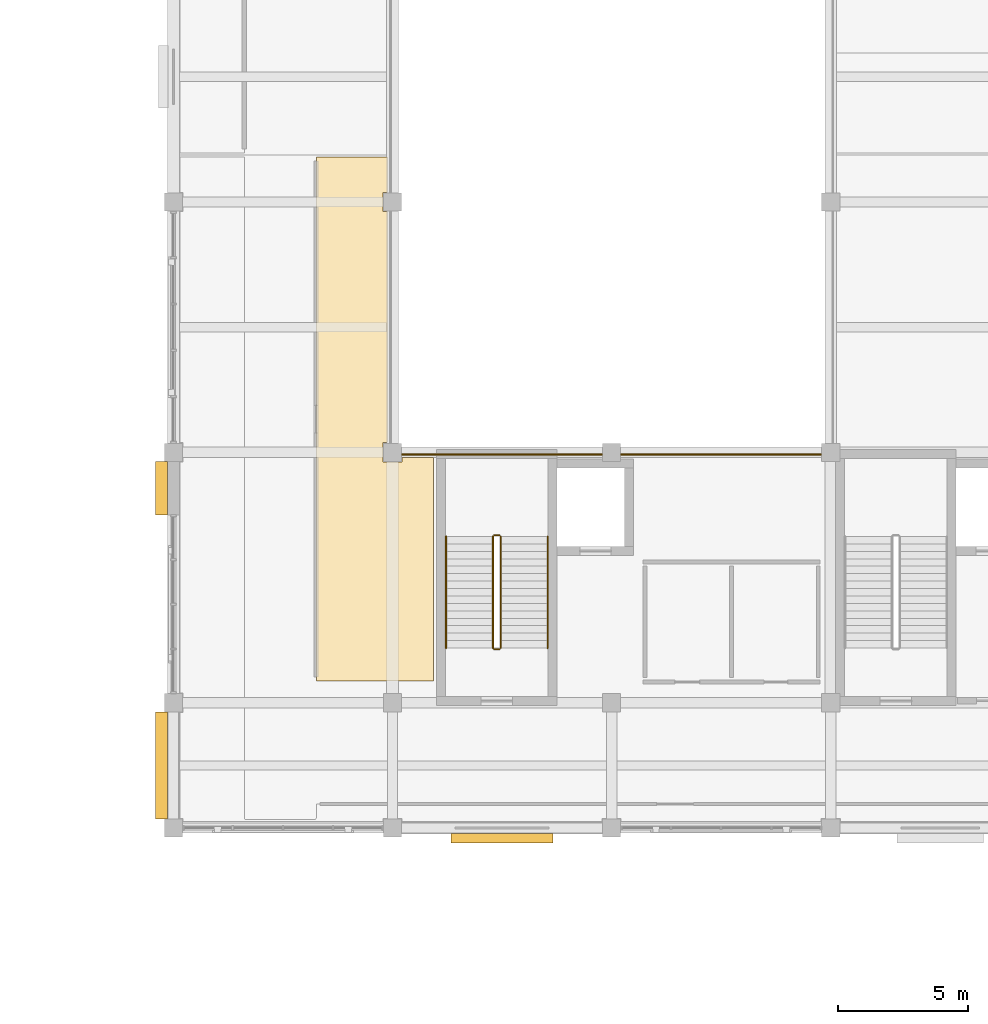
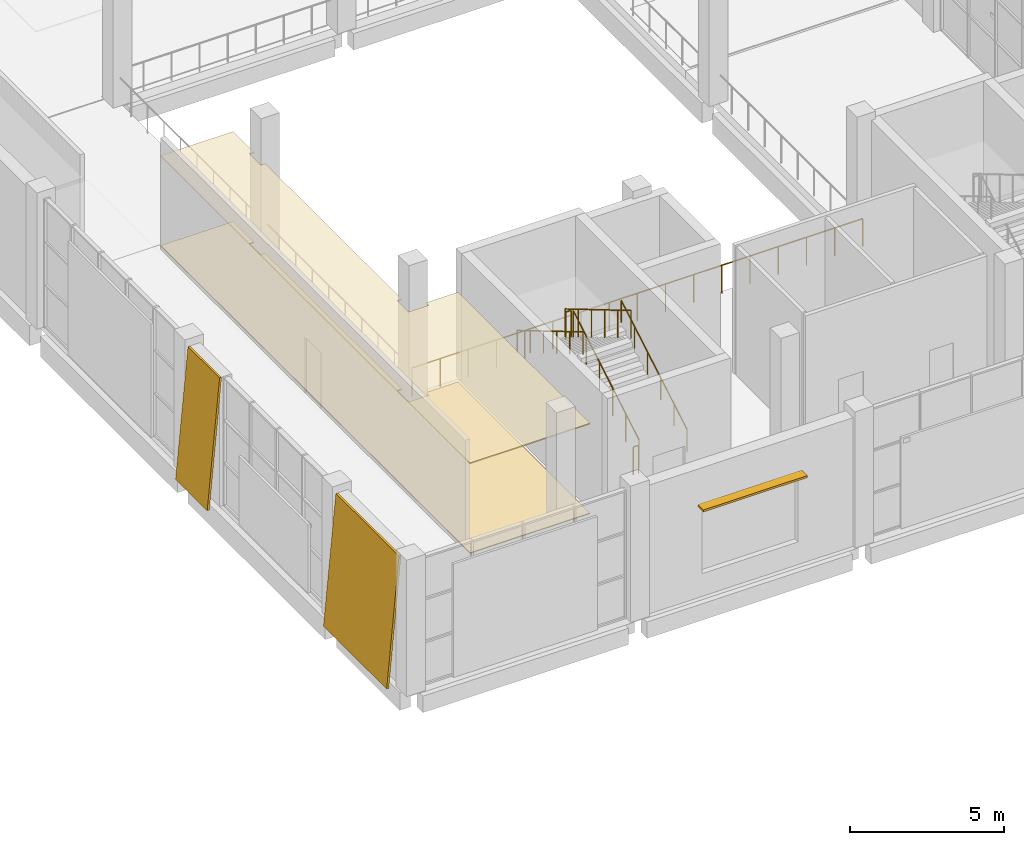
# One storey, part 67 of 72: 7 railings, 4 coverings, 1 shading device.
"""IFC4 building model written with IfcOpenShell, lengths in metres."""

from ifc_helpers import new_model, si_unit, direction, frame, origin, origin_2d, place, context, subcontext, project, spatial, polyline, rectangle, circle, outline, extrude, material, layer, layer_set, type_object, element, save


model = new_model("IFC4")

# Units and contexts
model_context = context("Model", 3, precision=1e-05, world=origin(), true_north=direction((0.0, 1.0)))
body_context = subcontext(model_context, "Body", "Model", "MODEL_VIEW")
ifc_project = project(units=[si_unit("LENGTHUNIT", "METRE"), si_unit("AREAUNIT", "SQUARE_METRE"), si_unit("VOLUMEUNIT", "CUBIC_METRE"), si_unit("PLANEANGLEUNIT", "RADIAN"), si_unit("MASSUNIT", "GRAM", prefix="KILO")], contexts=[model_context])

# Site, building, storey
site_placement = place(None, origin())
site = spatial("IfcSite", under=ifc_project, at=site_placement, CompositionType="ELEMENT")
building_placement = place(site_placement, origin())
building = spatial("IfcBuilding", under=site, at=building_placement, Name="Shalvenor Court Art Gallery", CompositionType="ELEMENT")
storey_placement = place(building_placement, frame((0.0, 0.0, 11.39990234375)))
storey = spatial("IfcBuildingStorey", under=building, at=storey_placement, Name="L02", CompositionType="ELEMENT", Elevation=11.39990234375)

# Coverings
ifc_material_1 = material(Name="Pale Mediterranean limestone cladding", Category="masonry")
ifc_layer_1 = layer(ifc_material_1, 0.080078125, Name="Pale Mediterranean limestone cladding")
ifc_layer_set_1 = layer_set([ifc_layer_1], Name="Pale Mediterranean limestone cladding")
covering_type_1 = type_object("IfcCoveringType", Name="CLD-01", PredefinedType="CLADDING", material=ifc_layer_set_1)
covering_1_placement = place(storey_placement, frame((142.10595703125, 50.050048828125, 0.0), z_axis=(0.0, 0.0, 1.0), x_axis=(0.0, -1.0, 0.0)))
element("IfcCovering", 1, at=covering_1_placement, inside=storey, type_object=covering_type_1, Name="L02 V1 Tapered Limestone Cladding 11", PredefinedType="CLADDING", context=body_context, shape_type="SweptSolid", body=[
    extrude(outline(polyline([(0.0, 0.0), (4.10009765625, 0.0), (4.10009765625, 5.12109375), (0.0, 5.12109375), (0.0, 0.0)])), frame((0.0, 0.0, 0.0), z_axis=(0.0, -0.995884398616, 0.090632580198), x_axis=(1.0, 0.0, 0.0)), (0.0, 0.090632580198, -0.995884398616), 0.080322265625),
])
covering_2_placement = place(storey_placement, frame((142.10595703125, 59.64990234375, 0.0), z_axis=(0.0, 0.0, 1.0), x_axis=(0.0, -1.0, 0.0)))
element("IfcCovering", 2, at=covering_2_placement, inside=storey, type_object=covering_type_1, Name="L02 V1 Tapered Limestone Cladding 12", PredefinedType="CLADDING", context=body_context, shape_type="SweptSolid", body=[
    extrude(outline(polyline([(0.0, 0.0), (2.0498046875, 0.0), (2.0498046875, 5.12109375), (0.0, 5.12109375), (0.0, 0.0)])), frame((0.0, 0.0, 0.0), z_axis=(0.0, -0.995884398616, 0.090632580198), x_axis=(1.0, 0.0, 0.0)), (0.0, 0.090632580198, -0.995884398616), 0.080322265625),
])
ifc_material_2 = material(Name="Perforated acoustic gypsum gallery ceiling", Category="other")
ifc_layer_2 = layer(ifc_material_2, 0.044921875, Name="Perforated acoustic gypsum gallery ceiling")
ifc_layer_set_2 = layer_set([ifc_layer_2], Name="Perforated acoustic gypsum gallery ceiling")
covering_type_2 = type_object("IfcCoveringType", Name="CLG-01", PredefinedType="CEILING", material=ifc_layer_set_2)
covering_3_placement = place(storey_placement, frame((0.0, 0.0, 3.550048828125)))
element("IfcCovering", 3, at=covering_3_placement, inside=storey, type_object=covering_type_2, Name="L02 Permanent Painting Gallery Wing B Acoustic Ceiling", PredefinedType="CEILING", context=body_context, shape_type="SweptSolid", body=[
    extrude(outline(polyline([(152.780029296875, 51.22998046875), (148.280029296875, 51.22998046875), (148.280029296875, 71.320068359375), (151.0, 71.320068359375), (151.0, 69.969970703125), (150.830078125, 69.969970703125), (150.830078125, 69.22998046875), (151.0, 69.22998046875), (151.0, 60.3701171875), (150.830078125, 60.3701171875), (150.830078125, 59.6298828125), (151.570068359375, 59.6298828125), (151.570068359375, 59.800048828125), (152.780029296875, 59.800048828125), (152.780029296875, 51.22998046875)])), origin(), (0.0, 0.0, 1.0), 0.045166015625),
])
ifc_material_3 = material(Name="Quarter-sawn white oak gallery flooring", Category="wood")
ifc_layer_3 = layer(ifc_material_3, 0.031982421875, Name="Quarter-sawn white oak gallery flooring")
ifc_layer_set_3 = layer_set([ifc_layer_3], Name="Quarter-sawn white oak gallery flooring")
covering_type_3 = type_object("IfcCoveringType", Name="FLR-02", PredefinedType="FLOORING", material=ifc_layer_set_3)
covering_4_placement = place(storey_placement, origin())
element("IfcCovering", 4, at=covering_4_placement, inside=storey, type_object=covering_type_3, Name="L02 Permanent Painting Gallery Wing B Flooring", PredefinedType="FLOORING", context=body_context, shape_type="SweptSolid", body=[
    extrude(outline(polyline([(152.780029296875, 51.22998046875), (148.280029296875, 51.22998046875), (148.280029296875, 71.320068359375), (151.0, 71.320068359375), (151.0, 69.969970703125), (150.830078125, 69.969970703125), (150.830078125, 69.22998046875), (151.0, 69.22998046875), (151.0, 60.3701171875), (150.830078125, 60.3701171875), (150.830078125, 59.6298828125), (151.570068359375, 59.6298828125), (151.570068359375, 59.800048828125), (152.780029296875, 59.800048828125), (152.780029296875, 51.22998046875)])), origin(), (0.0, 0.0, 1.0), 0.031982421875),
])

# Railings
ifc_material_4 = material(Name="Stainless steel and laminated glass balustrade", Category="steel")
railing_type_1 = type_object("IfcRailingType", Name="GR-01", PredefinedType="BALUSTRADE", material=ifc_material_4)
railing_1_placement = place(storey_placement, frame((151.1201171875, 59.919921875, 0.0)))
element("IfcRailing", 5, at=railing_1_placement, inside=storey, type_object=railing_type_1, Name="L02 Atrium Gallery Balustrade 1", PredefinedType="BALUSTRADE", context=body_context, shape_type="SweptSolid", body=[
    extrude(circle(Radius=0.02392578125, at=origin_2d()), frame((0.0, 0.0, 1.09619140625), z_axis=(1.0, 0.0, 0.0), x_axis=(0.0, 1.0, 0.0)), (0.0, 0.0, 1.0), 16.89990234375),
    extrude(circle(Radius=0.02099609375, at=origin_2d()), origin(), (0.0, 0.0, 1.0), 1.072021484375),
    extrude(circle(Radius=0.02099609375, at=origin_2d()), frame((1.05615234375, 0.0, 0.0)), (0.0, 0.0, 1.0), 1.072021484375),
    extrude(circle(Radius=0.02099609375, at=origin_2d()), frame((2.112548828125, 0.0, 0.0)), (0.0, 0.0, 1.0), 1.072021484375),
    extrude(circle(Radius=0.02099609375, at=origin_2d()), frame((3.168701171875, 0.0, 0.0)), (0.0, 0.0, 1.0), 1.072021484375),
    extrude(circle(Radius=0.02099609375, at=origin_2d()), frame((4.22509765625, 0.0, 0.0)), (0.0, 0.0, 1.0), 1.072021484375),
    extrude(circle(Radius=0.02099609375, at=origin_2d()), frame((5.28125, 0.0, 0.0)), (0.0, 0.0, 1.0), 1.072021484375),
    extrude(circle(Radius=0.02099609375, at=origin_2d()), frame((6.33740234375, 0.0, 0.0)), (0.0, 0.0, 1.0), 1.072021484375),
    extrude(circle(Radius=0.02099609375, at=origin_2d()), frame((7.393798828125, 0.0, 0.0)), (0.0, 0.0, 1.0), 1.072021484375),
    extrude(circle(Radius=0.02099609375, at=origin_2d()), frame((8.449951171875, 0.0, 0.0)), (0.0, 0.0, 1.0), 1.072021484375),
    extrude(circle(Radius=0.02099609375, at=origin_2d()), frame((9.506103515625, 0.0, 0.0)), (0.0, 0.0, 1.0), 1.072021484375),
    extrude(circle(Radius=0.02099609375, at=origin_2d()), frame((10.5625, 0.0, 0.0)), (0.0, 0.0, 1.0), 1.072021484375),
    extrude(circle(Radius=0.02099609375, at=origin_2d()), frame((11.61865234375, 0.0, 0.0)), (0.0, 0.0, 1.0), 1.072021484375),
    extrude(circle(Radius=0.02099609375, at=origin_2d()), frame((12.6748046875, 0.0, 0.0)), (0.0, 0.0, 1.0), 1.072021484375),
    extrude(circle(Radius=0.02099609375, at=origin_2d()), frame((13.731201171875, 0.0, 0.0)), (0.0, 0.0, 1.0), 1.072021484375),
    extrude(circle(Radius=0.02099609375, at=origin_2d()), frame((14.787353515625, 0.0, 0.0)), (0.0, 0.0, 1.0), 1.072021484375),
    extrude(circle(Radius=0.02099609375, at=origin_2d()), frame((15.84375, 0.0, 0.0)), (0.0, 0.0, 1.0), 1.072021484375),
    extrude(circle(Radius=0.02099609375, at=origin_2d()), frame((16.89990234375, 0.0, 0.0)), (0.0, 0.0, 1.0), 1.072021484375),
])
ifc_material_5 = material(Name="Painted steel post-and-rail guard", Category="steel")
railing_type_2 = type_object("IfcRailingType", Name="GR-02", PredefinedType="GUARDRAIL", material=ifc_material_5)
railing_2_placement = place(storey_placement, frame((155.35009765625, 52.5, 0.1689453125)))
element("IfcRailing", 6, at=railing_2_placement, inside=storey, type_object=railing_type_2, Name="L02 ST-03 Stair Guard 1", PredefinedType="GUARDRAIL", context=body_context, shape_type="SweptSolid", body=[
    extrude(circle(Radius=0.02392578125, at=origin_2d()), frame((0.0, 0.0, 1.09619140625), z_axis=(0.0, 0.860470286479, 0.509500624227), x_axis=(-1.0, 0.0, 0.0)), (0.0, 0.0, 1.0), 4.968017578125),
    extrude(circle(Radius=0.02099609375, at=origin_2d()), origin(), (0.0, 0.0, 1.0), 1.072021484375),
    extrude(circle(Radius=0.02099609375, at=origin_2d()), frame((0.0, 0.85498046875, 0.50634765625)), (0.0, 0.0, 1.0), 1.072021484375),
    extrude(circle(Radius=0.02099609375, at=origin_2d()), frame((0.0, 1.7099609375, 1.012451171875)), (0.0, 0.0, 1.0), 1.072021484375),
    extrude(circle(Radius=0.02099609375, at=origin_2d()), frame((0.0, 2.56494140625, 1.518798828125)), (0.0, 0.0, 1.0), 1.072021484375),
    extrude(circle(Radius=0.02099609375, at=origin_2d()), frame((0.0, 3.419921875, 2.02490234375)), (0.0, 0.0, 1.0), 1.072021484375),
    extrude(circle(Radius=0.02099609375, at=origin_2d()), frame((0.0, 4.27490234375, 2.53125)), (0.0, 0.0, 1.0), 1.072021484375),
])
railing_3_placement = place(storey_placement, frame((155.300048828125, 56.824951171875, 2.7001953125)))
element("IfcRailing", 7, at=railing_3_placement, inside=storey, type_object=railing_type_2, Name="L02 ST-03 Stair Guard 2", PredefinedType="GUARDRAIL", context=body_context, shape_type="SweptSolid", body=[
    extrude(circle(Radius=0.02392578125, at=origin_2d()), frame((0.0, 0.0, 1.09619140625), z_axis=(-1.0, 0.0, 0.0), x_axis=(0.0, -1.0, 0.0)), (0.0, 0.0, 1.0), 0.199951171875),
    extrude(circle(Radius=0.02099609375, at=origin_2d()), origin(), (0.0, 0.0, 1.0), 1.072021484375),
    extrude(circle(Radius=0.02099609375, at=origin_2d()), frame((-0.199951171875, 0.0, 0.0)), (0.0, 0.0, 1.0), 1.072021484375),
])
railing_4_placement = place(storey_placement, frame((155.050048828125, 56.77490234375, 2.868896484375)))
element("IfcRailing", 8, at=railing_4_placement, inside=storey, type_object=railing_type_2, Name="L02 ST-03 Stair Guard 3", PredefinedType="GUARDRAIL", context=body_context, shape_type="SweptSolid", body=[
    extrude(circle(Radius=0.02392578125, at=origin_2d()), frame((0.0, 0.0, 1.09619140625), z_axis=(0.0, -0.860470286479, 0.509500624227), x_axis=(1.0, 0.0, 0.0)), (0.0, 0.0, 1.0), 4.968017578125),
    extrude(circle(Radius=0.02099609375, at=origin_2d()), origin(), (0.0, 0.0, 1.0), 1.072021484375),
    extrude(circle(Radius=0.02099609375, at=origin_2d()), frame((0.0, -0.85498046875, 0.50634765625)), (0.0, 0.0, 1.0), 1.072021484375),
    extrude(circle(Radius=0.02099609375, at=origin_2d()), frame((0.0, -1.7099609375, 1.012451171875)), (0.0, 0.0, 1.0), 1.072021484375),
    extrude(circle(Radius=0.02099609375, at=origin_2d()), frame((0.0, -2.56494140625, 1.518798828125)), (0.0, 0.0, 1.0), 1.072021484375),
    extrude(circle(Radius=0.02099609375, at=origin_2d()), frame((0.0, -3.419921875, 2.02490234375)), (0.0, 0.0, 1.0), 1.072021484375),
    extrude(circle(Radius=0.02099609375, at=origin_2d()), frame((0.0, -4.27490234375, 2.53125)), (0.0, 0.0, 1.0), 1.072021484375),
])
railing_5_placement = place(storey_placement, frame((155.300048828125, 52.449951171875, 0.0)))
element("IfcRailing", 9, at=railing_5_placement, inside=storey, type_object=railing_type_2, Name="L02 ST-03 Stair Guard 4", PredefinedType="GUARDRAIL", context=body_context, shape_type="SweptSolid", body=[
    extrude(circle(Radius=0.02392578125, at=origin_2d()), frame((0.0, 0.0, 1.09619140625), z_axis=(-1.0, 0.0, 0.0), x_axis=(0.0, -1.0, 0.0)), (0.0, 0.0, 1.0), 0.199951171875),
    extrude(circle(Radius=0.02099609375, at=origin_2d()), origin(), (0.0, 0.0, 1.0), 1.072021484375),
    extrude(circle(Radius=0.02099609375, at=origin_2d()), frame((-0.199951171875, 0.0, 0.0)), (0.0, 0.0, 1.0), 1.072021484375),
])
ifc_material_6 = material(Name="Brushed stainless steel handrail", Category="steel")
railing_type_3 = type_object("IfcRailingType", Name="HR-01", PredefinedType="HANDRAIL", material=ifc_material_6)
railing_6_placement = place(storey_placement, frame((157.14990234375, 52.5, 0.1689453125)))
element("IfcRailing", 10, at=railing_6_placement, inside=storey, type_object=railing_type_3, Name="L02 ST-03 Stair Handrail 1", PredefinedType="HANDRAIL", context=body_context, shape_type="SweptSolid", body=[
    extrude(circle(Radius=0.02392578125, at=origin_2d()), frame((0.0, 0.0, 0.8759765625), z_axis=(0.0, 0.860470286479, 0.509500624227), x_axis=(-1.0, 0.0, 0.0)), (0.0, 0.0, 1.0), 4.968017578125),
    extrude(circle(Radius=0.02099609375, at=origin_2d()), origin(), (0.0, 0.0, 1.0), 0.851806640625),
    extrude(circle(Radius=0.02099609375, at=origin_2d()), frame((0.0, 0.85498046875, 0.50634765625)), (0.0, 0.0, 1.0), 0.851806640625),
    extrude(circle(Radius=0.02099609375, at=origin_2d()), frame((0.0, 1.7099609375, 1.012451171875)), (0.0, 0.0, 1.0), 0.851806640625),
    extrude(circle(Radius=0.02099609375, at=origin_2d()), frame((0.0, 2.56494140625, 1.518798828125)), (0.0, 0.0, 1.0), 0.851806640625),
    extrude(circle(Radius=0.02099609375, at=origin_2d()), frame((0.0, 3.419921875, 2.02490234375)), (0.0, 0.0, 1.0), 0.851806640625),
    extrude(circle(Radius=0.02099609375, at=origin_2d()), frame((0.0, 4.27490234375, 2.53125)), (0.0, 0.0, 1.0), 0.851806640625),
])
railing_7_placement = place(storey_placement, frame((153.25, 56.77490234375, 2.868896484375)))
element("IfcRailing", 11, at=railing_7_placement, inside=storey, type_object=railing_type_3, Name="L02 ST-03 Stair Handrail 2", PredefinedType="HANDRAIL", context=body_context, shape_type="SweptSolid", body=[
    extrude(circle(Radius=0.02392578125, at=origin_2d()), frame((0.0, 0.0, 0.8759765625), z_axis=(0.0, -0.860470286479, 0.509500624227), x_axis=(1.0, 0.0, 0.0)), (0.0, 0.0, 1.0), 4.968017578125),
    extrude(circle(Radius=0.02099609375, at=origin_2d()), origin(), (0.0, 0.0, 1.0), 0.851806640625),
    extrude(circle(Radius=0.02099609375, at=origin_2d()), frame((0.0, -0.85498046875, 0.50634765625)), (0.0, 0.0, 1.0), 0.851806640625),
    extrude(circle(Radius=0.02099609375, at=origin_2d()), frame((0.0, -1.7099609375, 1.012451171875)), (0.0, 0.0, 1.0), 0.851806640625),
    extrude(circle(Radius=0.02099609375, at=origin_2d()), frame((0.0, -2.56494140625, 1.518798828125)), (0.0, 0.0, 1.0), 0.851806640625),
    extrude(circle(Radius=0.02099609375, at=origin_2d()), frame((0.0, -3.419921875, 2.02490234375)), (0.0, 0.0, 1.0), 0.851806640625),
    extrude(circle(Radius=0.02099609375, at=origin_2d()), frame((0.0, -4.27490234375, 2.53125)), (0.0, 0.0, 1.0), 0.851806640625),
])

# Shading device
ifc_material_7 = material(Name="Dark anodised bronze aluminium louvre", Category="aluminium")
shading_device_type = type_object("IfcShadingDeviceType", Name="SHD-01", PredefinedType="JALOUSIE", material=ifc_material_7)
shading_device_placement = place(storey_placement, frame((155.39990234375, 45.2099609375, 3.60009765625), z_axis=(0.0, 0.0, 1.0), x_axis=(-1.0, 0.0, 0.0)))
element("IfcShadingDevice", 12, at=shading_device_placement, inside=storey, type_object=shading_device_type, Name="L02 Koushi Window Sunshade 10", PredefinedType="JALOUSIE", context=body_context, shape_type="SweptSolid", body=[
    extrude(rectangle(XDim=3.89990234375, YDim=0.360107421875, at=origin_2d()), origin(), (0.0, 0.0, 1.0), 0.080078125),
])

save(model, "model.ifc")
